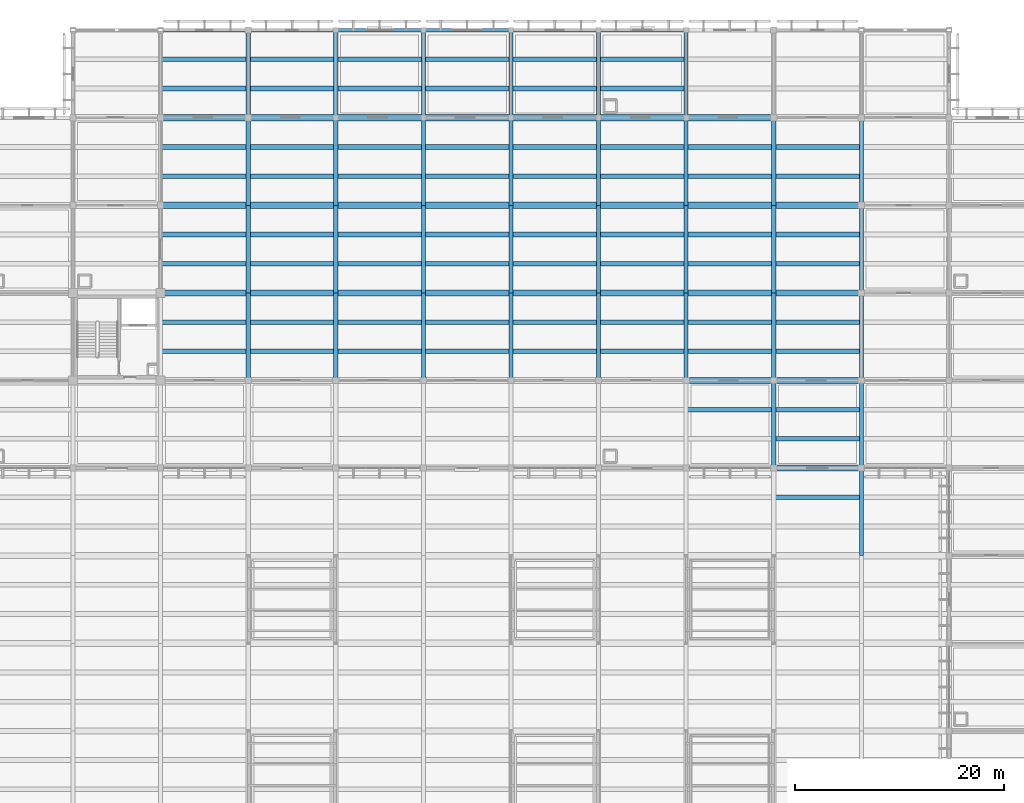
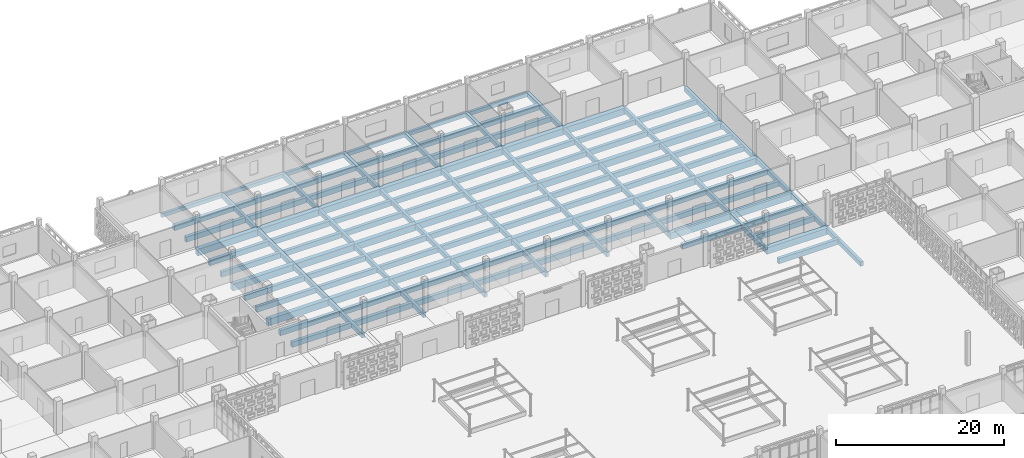
# One storey, part 35 of 129: 129 beams.
"""IFC4 building model written with IfcOpenShell, lengths in metres."""

from ifc_helpers import new_model, si_unit, direction, frame, origin, origin_2d, place, context, subcontext, project, spatial, rectangle, extrude, material, material_profile, profile_set, type_object, element, save


model = new_model("IFC4")

# Units and contexts
model_context = context("Model", 3, precision=1e-05, world=origin(), true_north=direction((0.0, 1.0)))
body_context = subcontext(model_context, "Body", "Model", "MODEL_VIEW")
ifc_project = project(units=[si_unit("LENGTHUNIT", "METRE"), si_unit("AREAUNIT", "SQUARE_METRE"), si_unit("VOLUMEUNIT", "CUBIC_METRE"), si_unit("PLANEANGLEUNIT", "RADIAN"), si_unit("MASSUNIT", "GRAM", prefix="KILO")], contexts=[model_context])

# Site, building, storey
site_placement = place(None, origin())
site = spatial("IfcSite", under=ifc_project, at=site_placement, CompositionType="ELEMENT")
building_placement = place(site_placement, origin())
building = spatial("IfcBuilding", under=site, at=building_placement, Name="Varnapada Polytechnic", CompositionType="ELEMENT")
storey_placement = place(building_placement, origin())
storey = spatial("IfcBuildingStorey", under=building, at=storey_placement, Name="L00", CompositionType="ELEMENT", Elevation=0.0)

# Beams
ifc_material = material(Name="Concrete C40/50", Category="concrete")
ifc_material_profile_1 = material_profile(ifc_material, rectangle(XDim=0.449951171875, YDim=0.75, at=origin_2d()), Name="RC 450x750")
ifc_profile_set_1 = profile_set([ifc_material_profile_1], Name="Concrete C40/50")
beam_type_1 = type_object("IfcBeamType", Name="Basement/podium secondary beam BB-01 (RC 450x750)", PredefinedType="BEAM", material=ifc_profile_set_1)
for number, where, z_axis, x_axis, name in (
    (1, (58.8798828125, 95.199951171875, -0.695068359375), (1.0, 0.0, 0.0), (0.0, 1.0, 0.0), "L00 floor joist 8/12.1"),
    (2, (58.8798828125, 98.0, -0.695068359375), (1.0, 0.0, 0.0), (0.0, 1.0, 0.0), "L00 floor joist 8/12.2"),
    (3, (58.8798828125, 103.60009765625, -0.695068359375), (1.0, 0.0, 0.0), (0.0, 1.0, 0.0), "L00 floor joist 8/13.1"),
    (4, (58.8798828125, 106.39990234375, -0.695068359375), (1.0, 0.0, 0.0), (0.0, 1.0, 0.0), "L00 floor joist 8/13.2"),
    (5, (58.8798828125, 112.0, -0.695068359375), (1.0, 0.0, 0.0), (0.0, 1.0, 0.0), "L00 floor joist 8/14.1"),
    (6, (58.8798828125, 114.800048828125, -0.695068359375), (1.0, 0.0, 0.0), (0.0, 1.0, 0.0), "L00 floor joist 8/14.2"),
    (7, (58.8798828125, 120.39990234375, -0.695068359375), (1.0, 0.0, 0.0), (0.0, 1.0, 0.0), "L00 floor joist 8/15.1"),
    (8, (58.8798828125, 123.199951171875, -0.695068359375), (1.0, 0.0, 0.0), (0.0, 1.0, 0.0), "L00 floor joist 8/15.2"),
):
    element("IfcBeam", number, at=place(storey_placement, frame(where, z_axis=z_axis, x_axis=x_axis)), inside=storey, type_object=beam_type_1, Name=name, PredefinedType="BEAM", context=body_context, shape_type="SweptSolid", body=[
        extrude(rectangle(XDim=0.449951171875, YDim=0.75, at=origin_2d()), origin(), (0.0, 0.0, 1.0), 8.240234375),
    ])
for number, where, z_axis, x_axis, name in (
    (9, (67.280029296875, 95.199951171875, -0.695068359375), (1.0, 0.0, 0.0), (0.0, 1.0, 0.0), "L00 floor joist 9/12.1"),
    (10, (67.280029296875, 98.0, -0.695068359375), (1.0, 0.0, 0.0), (0.0, 1.0, 0.0), "L00 floor joist 9/12.2"),
    (11, (67.280029296875, 103.60009765625, -0.695068359375), (1.0, 0.0, 0.0), (0.0, 1.0, 0.0), "L00 floor joist 9/13.1"),
    (12, (67.280029296875, 106.39990234375, -0.695068359375), (1.0, 0.0, 0.0), (0.0, 1.0, 0.0), "L00 floor joist 9/13.2"),
    (13, (67.280029296875, 112.0, -0.695068359375), (1.0, 0.0, 0.0), (0.0, 1.0, 0.0), "L00 floor joist 9/14.1"),
    (14, (67.280029296875, 114.800048828125, -0.695068359375), (1.0, 0.0, 0.0), (0.0, 1.0, 0.0), "L00 floor joist 9/14.2"),
    (15, (67.280029296875, 120.39990234375, -0.695068359375), (1.0, 0.0, 0.0), (0.0, 1.0, 0.0), "L00 floor joist 9/15.1"),
    (16, (67.280029296875, 123.199951171875, -0.695068359375), (1.0, 0.0, 0.0), (0.0, 1.0, 0.0), "L00 floor joist 9/15.2"),
    (17, (75.679931640625, 95.199951171875, -0.695068359375), (1.0, 0.0, 0.0), (0.0, 1.0, 0.0), "L00 floor joist 10/12.1"),
    (18, (75.679931640625, 98.0, -0.695068359375), (1.0, 0.0, 0.0), (0.0, 1.0, 0.0), "L00 floor joist 10/12.2"),
    (19, (75.679931640625, 103.60009765625, -0.695068359375), (1.0, 0.0, 0.0), (0.0, 1.0, 0.0), "L00 floor joist 10/13.1"),
    (20, (75.679931640625, 106.39990234375, -0.695068359375), (1.0, 0.0, 0.0), (0.0, 1.0, 0.0), "L00 floor joist 10/13.2"),
    (21, (75.679931640625, 112.0, -0.695068359375), (1.0, 0.0, 0.0), (0.0, 1.0, 0.0), "L00 floor joist 10/14.1"),
    (22, (75.679931640625, 114.800048828125, -0.695068359375), (1.0, 0.0, 0.0), (0.0, 1.0, 0.0), "L00 floor joist 10/14.2"),
    (23, (75.679931640625, 120.39990234375, -0.695068359375), (1.0, 0.0, 0.0), (0.0, 1.0, 0.0), "L00 floor joist 10/15.1"),
    (24, (75.679931640625, 123.199951171875, -0.695068359375), (1.0, 0.0, 0.0), (0.0, 1.0, 0.0), "L00 floor joist 10/15.2"),
    (25, (84.080078125, 95.199951171875, -0.695068359375), (1.0, 0.0, 0.0), (0.0, 1.0, 0.0), "L00 floor joist 11/12.1"),
    (26, (84.080078125, 98.0, -0.695068359375), (1.0, 0.0, 0.0), (0.0, 1.0, 0.0), "L00 floor joist 11/12.2"),
    (27, (84.080078125, 103.60009765625, -0.695068359375), (1.0, 0.0, 0.0), (0.0, 1.0, 0.0), "L00 floor joist 11/13.1"),
    (28, (84.080078125, 106.39990234375, -0.695068359375), (1.0, 0.0, 0.0), (0.0, 1.0, 0.0), "L00 floor joist 11/13.2"),
    (29, (84.080078125, 112.0, -0.695068359375), (1.0, 0.0, 0.0), (0.0, 1.0, 0.0), "L00 floor joist 11/14.1"),
    (30, (84.080078125, 114.800048828125, -0.695068359375), (1.0, 0.0, 0.0), (0.0, 1.0, 0.0), "L00 floor joist 11/14.2"),
    (31, (84.080078125, 120.39990234375, -0.695068359375), (1.0, 0.0, 0.0), (0.0, 1.0, 0.0), "L00 floor joist 11/15.1"),
    (32, (84.080078125, 123.199951171875, -0.695068359375), (1.0, 0.0, 0.0), (0.0, 1.0, 0.0), "L00 floor joist 11/15.2"),
    (33, (92.47998046875, 95.199951171875, -0.695068359375), (1.0, 0.0, 0.0), (0.0, 1.0, 0.0), "L00 floor joist 12/12.1"),
    (34, (92.47998046875, 98.0, -0.695068359375), (1.0, 0.0, 0.0), (0.0, 1.0, 0.0), "L00 floor joist 12/12.2"),
    (35, (92.47998046875, 103.60009765625, -0.695068359375), (1.0, 0.0, 0.0), (0.0, 1.0, 0.0), "L00 floor joist 12/13.1"),
    (36, (92.47998046875, 106.39990234375, -0.695068359375), (1.0, 0.0, 0.0), (0.0, 1.0, 0.0), "L00 floor joist 12/13.2"),
    (37, (92.47998046875, 112.0, -0.695068359375), (1.0, 0.0, 0.0), (0.0, 1.0, 0.0), "L00 floor joist 12/14.1"),
    (38, (92.47998046875, 114.800048828125, -0.695068359375), (1.0, 0.0, 0.0), (0.0, 1.0, 0.0), "L00 floor joist 12/14.2"),
    (39, (92.47998046875, 120.39990234375, -0.695068359375), (1.0, 0.0, 0.0), (0.0, 1.0, 0.0), "L00 floor joist 12/15.1"),
    (40, (92.47998046875, 123.199951171875, -0.695068359375), (1.0, 0.0, 0.0), (0.0, 1.0, 0.0), "L00 floor joist 12/15.2"),
):
    element("IfcBeam", number, at=place(storey_placement, frame(where, z_axis=z_axis, x_axis=x_axis)), inside=storey, type_object=beam_type_1, Name=name, PredefinedType="BEAM", context=body_context, shape_type="SweptSolid", body=[
        extrude(rectangle(XDim=0.449951171875, YDim=0.75, at=origin_2d()), origin(), (0.0, 0.0, 1.0), 8.239990234375),
    ])
for number, where, z_axis, x_axis, name in (
    (41, (100.8798828125, 95.199951171875, -0.695068359375), (1.0, 0.0, 0.0), (0.0, 1.0, 0.0), "L00 floor joist 13/12.1"),
    (42, (100.8798828125, 98.0, -0.695068359375), (1.0, 0.0, 0.0), (0.0, 1.0, 0.0), "L00 floor joist 13/12.2"),
    (43, (100.8798828125, 103.60009765625, -0.695068359375), (1.0, 0.0, 0.0), (0.0, 1.0, 0.0), "L00 floor joist 13/13.1"),
    (44, (100.8798828125, 106.39990234375, -0.695068359375), (1.0, 0.0, 0.0), (0.0, 1.0, 0.0), "L00 floor joist 13/13.2"),
    (45, (100.8798828125, 112.0, -0.695068359375), (1.0, 0.0, 0.0), (0.0, 1.0, 0.0), "L00 floor joist 13/14.1"),
    (46, (100.8798828125, 114.800048828125, -0.695068359375), (1.0, 0.0, 0.0), (0.0, 1.0, 0.0), "L00 floor joist 13/14.2"),
    (47, (100.8798828125, 120.39990234375, -0.695068359375), (1.0, 0.0, 0.0), (0.0, 1.0, 0.0), "L00 floor joist 13/15.1"),
    (48, (100.8798828125, 123.199951171875, -0.695068359375), (1.0, 0.0, 0.0), (0.0, 1.0, 0.0), "L00 floor joist 13/15.2"),
):
    element("IfcBeam", number, at=place(storey_placement, frame(where, z_axis=z_axis, x_axis=x_axis)), inside=storey, type_object=beam_type_1, Name=name, PredefinedType="BEAM", context=body_context, shape_type="SweptSolid", body=[
        extrude(rectangle(XDim=0.449951171875, YDim=0.75, at=origin_2d()), origin(), (0.0, 0.0, 1.0), 8.240234375),
    ])
for number, where, z_axis, x_axis, name in (
    (49, (109.280029296875, 89.60009765625, -0.695068359375), (1.0, 0.0, 0.0), (0.0, 1.0, 0.0), "L00 floor joist 14/11.2"),
    (50, (109.280029296875, 95.199951171875, -0.695068359375), (1.0, 0.0, 0.0), (0.0, 1.0, 0.0), "L00 floor joist 14/12.1"),
    (51, (109.280029296875, 98.0, -0.695068359375), (1.0, 0.0, 0.0), (0.0, 1.0, 0.0), "L00 floor joist 14/12.2"),
    (52, (109.280029296875, 103.60009765625, -0.695068359375), (1.0, 0.0, 0.0), (0.0, 1.0, 0.0), "L00 floor joist 14/13.1"),
    (53, (109.280029296875, 106.39990234375, -0.695068359375), (1.0, 0.0, 0.0), (0.0, 1.0, 0.0), "L00 floor joist 14/13.2"),
    (54, (109.280029296875, 112.0, -0.695068359375), (1.0, 0.0, 0.0), (0.0, 1.0, 0.0), "L00 floor joist 14/14.1"),
    (55, (109.280029296875, 114.800048828125, -0.695068359375), (1.0, 0.0, 0.0), (0.0, 1.0, 0.0), "L00 floor joist 14/14.2"),
    (56, (117.679931640625, 81.199951171875, -0.655029296875), (1.0, 0.0, 0.0), (0.0, 1.0, 0.0), "L00 floor joist 15/10.2"),
    (57, (117.679931640625, 86.800048828125, -0.695068359375), (1.0, 0.0, 0.0), (0.0, 1.0, 0.0), "L00 floor joist 15/11.1"),
    (58, (117.679931640625, 89.60009765625, -0.695068359375), (1.0, 0.0, 0.0), (0.0, 1.0, 0.0), "L00 floor joist 15/11.2"),
    (59, (117.679931640625, 95.199951171875, -0.695068359375), (1.0, 0.0, 0.0), (0.0, 1.0, 0.0), "L00 floor joist 15/12.1"),
    (60, (117.679931640625, 98.0, -0.695068359375), (1.0, 0.0, 0.0), (0.0, 1.0, 0.0), "L00 floor joist 15/12.2"),
    (61, (117.679931640625, 103.60009765625, -0.695068359375), (1.0, 0.0, 0.0), (0.0, 1.0, 0.0), "L00 floor joist 15/13.1"),
    (62, (117.679931640625, 106.39990234375, -0.695068359375), (1.0, 0.0, 0.0), (0.0, 1.0, 0.0), "L00 floor joist 15/13.2"),
    (63, (117.679931640625, 112.0, -0.695068359375), (1.0, 0.0, 0.0), (0.0, 1.0, 0.0), "L00 floor joist 15/14.1"),
    (64, (117.679931640625, 114.800048828125, -0.695068359375), (1.0, 0.0, 0.0), (0.0, 1.0, 0.0), "L00 floor joist 15/14.2"),
):
    element("IfcBeam", number, at=place(storey_placement, frame(where, z_axis=z_axis, x_axis=x_axis)), inside=storey, type_object=beam_type_1, Name=name, PredefinedType="BEAM", context=body_context, shape_type="SweptSolid", body=[
        extrude(rectangle(XDim=0.449951171875, YDim=0.75, at=origin_2d()), origin(), (0.0, 0.0, 1.0), 8.239990234375),
    ])
ifc_material_profile_2 = material_profile(ifc_material, rectangle(XDim=0.35009765625, YDim=0.550048828125, at=origin_2d()), Name="RC 350x550")
ifc_profile_set_2 = profile_set([ifc_material_profile_2], Name="Concrete C40/50")
beam_type_2 = type_object("IfcBeamType", Name="Concrete podium spandrel beam SP-01 (RC 350x550)", PredefinedType="SPANDREL", material=ifc_profile_set_2)
beam_1_placement = place(storey_placement, frame((58.800048828125, 126.0, -0.594970703125), z_axis=(1.0, 0.0, 0.0), x_axis=(0.0, 1.0, 0.0)))
element("IfcBeam", 65, at=beam_1_placement, inside=storey, type_object=beam_type_2, Name="L00 beam X 8-9 at Y16", PredefinedType="SPANDREL", context=body_context, shape_type="SweptSolid", body=[
    extrude(rectangle(XDim=0.35009765625, YDim=0.550048828125, at=origin_2d()), origin(), (0.0, 0.0, 1.0), 8.39990234375),
])
beam_2_placement = place(storey_placement, frame((67.199951171875, 126.0, -0.594970703125), z_axis=(1.0, 0.0, 0.0), x_axis=(0.0, 1.0, 0.0)))
element("IfcBeam", 66, at=beam_2_placement, inside=storey, type_object=beam_type_2, Name="L00 beam X 9-10 at Y16", PredefinedType="SPANDREL", context=body_context, shape_type="SweptSolid", body=[
    extrude(rectangle(XDim=0.35009765625, YDim=0.550048828125, at=origin_2d()), origin(), (0.0, 0.0, 1.0), 8.400146484375),
])
for number, where, z_axis, x_axis, name in (
    (67, (75.60009765625, 126.0, -0.594970703125), (1.0, 0.0, 0.0), (0.0, 1.0, 0.0), "L00 beam X 10-11 at Y16"),
    (68, (84.0, 126.0, -0.594970703125), (1.0, 0.0, 0.0), (0.0, 1.0, 0.0), "L00 beam X 11-12 at Y16"),
):
    element("IfcBeam", number, at=place(storey_placement, frame(where, z_axis=z_axis, x_axis=x_axis)), inside=storey, type_object=beam_type_2, Name=name, PredefinedType="SPANDREL", context=body_context, shape_type="SweptSolid", body=[
        extrude(rectangle(XDim=0.35009765625, YDim=0.550048828125, at=origin_2d()), origin(), (0.0, 0.0, 1.0), 8.39990234375),
    ])
beam_3_placement = place(storey_placement, frame((92.39990234375, 126.0, -0.594970703125), z_axis=(1.0, 0.0, 0.0), x_axis=(0.0, 1.0, 0.0)))
element("IfcBeam", 69, at=beam_3_placement, inside=storey, type_object=beam_type_2, Name="L00 beam X 12-13 at Y16", PredefinedType="SPANDREL", context=body_context, shape_type="SweptSolid", body=[
    extrude(rectangle(XDim=0.35009765625, YDim=0.550048828125, at=origin_2d()), origin(), (0.0, 0.0, 1.0), 8.400146484375),
])
beam_4_placement = place(storey_placement, frame((100.800048828125, 126.0, -0.594970703125), z_axis=(1.0, 0.0, 0.0), x_axis=(0.0, 1.0, 0.0)))
element("IfcBeam", 70, at=beam_4_placement, inside=storey, type_object=beam_type_2, Name="L00 beam X 13-14 at Y16", PredefinedType="SPANDREL", context=body_context, shape_type="SweptSolid", body=[
    extrude(rectangle(XDim=0.35009765625, YDim=0.550048828125, at=origin_2d()), origin(), (0.0, 0.0, 1.0), 8.39990234375),
])
ifc_material_profile_3 = material_profile(ifc_material, rectangle(XDim=0.39990234375, YDim=0.64990234375, at=origin_2d()), Name="RC 400x650")
ifc_profile_set_3 = profile_set([ifc_material_profile_3], Name="Concrete C40/50")
beam_type_3 = type_object("IfcBeamType", Name="Podium framing beam BB-02 (RC 400x650)", PredefinedType="BEAM", material=ifc_profile_set_3)
beam_5_placement = place(storey_placement, frame((67.199951171875, 92.39990234375, -0.64501953125), z_axis=(0.0, 1.0, 0.0), x_axis=(-1.0, 0.0, 0.0)))
element("IfcBeam", 71, at=beam_5_placement, inside=storey, type_object=beam_type_3, Name="L00 beam Y 12-13 at X9", PredefinedType="BEAM", context=body_context, shape_type="SweptSolid", body=[
    extrude(rectangle(XDim=0.39990234375, YDim=0.64990234375, at=origin_2d()), origin(), (0.0, 0.0, 1.0), 8.400146484375),
])
beam_6_placement = place(storey_placement, frame((67.199951171875, 100.800048828125, -0.64501953125), z_axis=(0.0, 1.0, 0.0), x_axis=(-1.0, 0.0, 0.0)))
element("IfcBeam", 72, at=beam_6_placement, inside=storey, type_object=beam_type_3, Name="L00 beam Y 13-14 at X9", PredefinedType="BEAM", context=body_context, shape_type="SweptSolid", body=[
    extrude(rectangle(XDim=0.39990234375, YDim=0.64990234375, at=origin_2d()), origin(), (0.0, 0.0, 1.0), 8.39990234375),
])
beam_7_placement = place(storey_placement, frame((67.199951171875, 109.199951171875, -0.64501953125), z_axis=(0.0, 1.0, 0.0), x_axis=(-1.0, 0.0, 0.0)))
element("IfcBeam", 73, at=beam_7_placement, inside=storey, type_object=beam_type_3, Name="L00 beam Y 14-15 at X9", PredefinedType="BEAM", context=body_context, shape_type="SweptSolid", body=[
    extrude(rectangle(XDim=0.39990234375, YDim=0.64990234375, at=origin_2d()), origin(), (0.0, 0.0, 1.0), 8.400146484375),
])
beam_8_placement = place(storey_placement, frame((67.199951171875, 117.60009765625, -0.64501953125), z_axis=(0.0, 1.0, 0.0), x_axis=(-1.0, 0.0, 0.0)))
element("IfcBeam", 74, at=beam_8_placement, inside=storey, type_object=beam_type_3, Name="L00 beam Y 15-16 at X9", PredefinedType="BEAM", context=body_context, shape_type="SweptSolid", body=[
    extrude(rectangle(XDim=0.39990234375, YDim=0.64990234375, at=origin_2d()), origin(), (0.0, 0.0, 1.0), 8.39990234375),
])
beam_9_placement = place(storey_placement, frame((75.60009765625, 92.39990234375, -0.64501953125), z_axis=(0.0, 1.0, 0.0), x_axis=(-1.0, 0.0, 0.0)))
element("IfcBeam", 75, at=beam_9_placement, inside=storey, type_object=beam_type_3, Name="L00 beam Y 12-13 at X10", PredefinedType="BEAM", context=body_context, shape_type="SweptSolid", body=[
    extrude(rectangle(XDim=0.39990234375, YDim=0.64990234375, at=origin_2d()), origin(), (0.0, 0.0, 1.0), 8.400146484375),
])
beam_10_placement = place(storey_placement, frame((75.60009765625, 100.800048828125, -0.64501953125), z_axis=(0.0, 1.0, 0.0), x_axis=(-1.0, 0.0, 0.0)))
element("IfcBeam", 76, at=beam_10_placement, inside=storey, type_object=beam_type_3, Name="L00 beam Y 13-14 at X10", PredefinedType="BEAM", context=body_context, shape_type="SweptSolid", body=[
    extrude(rectangle(XDim=0.39990234375, YDim=0.64990234375, at=origin_2d()), origin(), (0.0, 0.0, 1.0), 8.39990234375),
])
beam_11_placement = place(storey_placement, frame((75.60009765625, 109.199951171875, -0.64501953125), z_axis=(0.0, 1.0, 0.0), x_axis=(-1.0, 0.0, 0.0)))
element("IfcBeam", 77, at=beam_11_placement, inside=storey, type_object=beam_type_3, Name="L00 beam Y 14-15 at X10", PredefinedType="BEAM", context=body_context, shape_type="SweptSolid", body=[
    extrude(rectangle(XDim=0.39990234375, YDim=0.64990234375, at=origin_2d()), origin(), (0.0, 0.0, 1.0), 8.400146484375),
])
beam_12_placement = place(storey_placement, frame((75.60009765625, 117.60009765625, -0.64501953125), z_axis=(0.0, 1.0, 0.0), x_axis=(-1.0, 0.0, 0.0)))
element("IfcBeam", 78, at=beam_12_placement, inside=storey, type_object=beam_type_3, Name="L00 beam Y 15-16 at X10", PredefinedType="BEAM", context=body_context, shape_type="SweptSolid", body=[
    extrude(rectangle(XDim=0.39990234375, YDim=0.64990234375, at=origin_2d()), origin(), (0.0, 0.0, 1.0), 8.39990234375),
])
beam_13_placement = place(storey_placement, frame((84.0, 92.39990234375, -0.64501953125), z_axis=(0.0, 1.0, 0.0), x_axis=(-1.0, 0.0, 0.0)))
element("IfcBeam", 79, at=beam_13_placement, inside=storey, type_object=beam_type_3, Name="L00 beam Y 12-13 at X11", PredefinedType="BEAM", context=body_context, shape_type="SweptSolid", body=[
    extrude(rectangle(XDim=0.39990234375, YDim=0.64990234375, at=origin_2d()), origin(), (0.0, 0.0, 1.0), 8.400146484375),
])
beam_14_placement = place(storey_placement, frame((84.0, 100.800048828125, -0.64501953125), z_axis=(0.0, 1.0, 0.0), x_axis=(-1.0, 0.0, 0.0)))
element("IfcBeam", 80, at=beam_14_placement, inside=storey, type_object=beam_type_3, Name="L00 beam Y 13-14 at X11", PredefinedType="BEAM", context=body_context, shape_type="SweptSolid", body=[
    extrude(rectangle(XDim=0.39990234375, YDim=0.64990234375, at=origin_2d()), origin(), (0.0, 0.0, 1.0), 8.39990234375),
])
beam_15_placement = place(storey_placement, frame((84.0, 109.199951171875, -0.64501953125), z_axis=(0.0, 1.0, 0.0), x_axis=(-1.0, 0.0, 0.0)))
element("IfcBeam", 81, at=beam_15_placement, inside=storey, type_object=beam_type_3, Name="L00 beam Y 14-15 at X11", PredefinedType="BEAM", context=body_context, shape_type="SweptSolid", body=[
    extrude(rectangle(XDim=0.39990234375, YDim=0.64990234375, at=origin_2d()), origin(), (0.0, 0.0, 1.0), 8.400146484375),
])
beam_16_placement = place(storey_placement, frame((84.0, 117.60009765625, -0.64501953125), z_axis=(0.0, 1.0, 0.0), x_axis=(-1.0, 0.0, 0.0)))
element("IfcBeam", 82, at=beam_16_placement, inside=storey, type_object=beam_type_3, Name="L00 beam Y 15-16 at X11", PredefinedType="BEAM", context=body_context, shape_type="SweptSolid", body=[
    extrude(rectangle(XDim=0.39990234375, YDim=0.64990234375, at=origin_2d()), origin(), (0.0, 0.0, 1.0), 8.39990234375),
])
beam_17_placement = place(storey_placement, frame((92.39990234375, 92.39990234375, -0.64501953125), z_axis=(0.0, 1.0, 0.0), x_axis=(-1.0, 0.0, 0.0)))
element("IfcBeam", 83, at=beam_17_placement, inside=storey, type_object=beam_type_3, Name="L00 beam Y 12-13 at X12", PredefinedType="BEAM", context=body_context, shape_type="SweptSolid", body=[
    extrude(rectangle(XDim=0.39990234375, YDim=0.64990234375, at=origin_2d()), origin(), (0.0, 0.0, 1.0), 8.400146484375),
])
beam_18_placement = place(storey_placement, frame((92.39990234375, 100.800048828125, -0.64501953125), z_axis=(0.0, 1.0, 0.0), x_axis=(-1.0, 0.0, 0.0)))
element("IfcBeam", 84, at=beam_18_placement, inside=storey, type_object=beam_type_3, Name="L00 beam Y 13-14 at X12", PredefinedType="BEAM", context=body_context, shape_type="SweptSolid", body=[
    extrude(rectangle(XDim=0.39990234375, YDim=0.64990234375, at=origin_2d()), origin(), (0.0, 0.0, 1.0), 8.39990234375),
])
beam_19_placement = place(storey_placement, frame((92.39990234375, 109.199951171875, -0.64501953125), z_axis=(0.0, 1.0, 0.0), x_axis=(-1.0, 0.0, 0.0)))
element("IfcBeam", 85, at=beam_19_placement, inside=storey, type_object=beam_type_3, Name="L00 beam Y 14-15 at X12", PredefinedType="BEAM", context=body_context, shape_type="SweptSolid", body=[
    extrude(rectangle(XDim=0.39990234375, YDim=0.64990234375, at=origin_2d()), origin(), (0.0, 0.0, 1.0), 8.400146484375),
])
beam_20_placement = place(storey_placement, frame((92.39990234375, 117.60009765625, -0.64501953125), z_axis=(0.0, 1.0, 0.0), x_axis=(-1.0, 0.0, 0.0)))
element("IfcBeam", 86, at=beam_20_placement, inside=storey, type_object=beam_type_3, Name="L00 beam Y 15-16 at X12", PredefinedType="BEAM", context=body_context, shape_type="SweptSolid", body=[
    extrude(rectangle(XDim=0.39990234375, YDim=0.64990234375, at=origin_2d()), origin(), (0.0, 0.0, 1.0), 8.39990234375),
])
beam_21_placement = place(storey_placement, frame((100.800048828125, 92.39990234375, -0.64501953125), z_axis=(0.0, 1.0, 0.0), x_axis=(-1.0, 0.0, 0.0)))
element("IfcBeam", 87, at=beam_21_placement, inside=storey, type_object=beam_type_3, Name="L00 beam Y 12-13 at X13", PredefinedType="BEAM", context=body_context, shape_type="SweptSolid", body=[
    extrude(rectangle(XDim=0.39990234375, YDim=0.64990234375, at=origin_2d()), origin(), (0.0, 0.0, 1.0), 8.400146484375),
])
beam_22_placement = place(storey_placement, frame((100.800048828125, 100.800048828125, -0.64501953125), z_axis=(0.0, 1.0, 0.0), x_axis=(-1.0, 0.0, 0.0)))
element("IfcBeam", 88, at=beam_22_placement, inside=storey, type_object=beam_type_3, Name="L00 beam Y 13-14 at X13", PredefinedType="BEAM", context=body_context, shape_type="SweptSolid", body=[
    extrude(rectangle(XDim=0.39990234375, YDim=0.64990234375, at=origin_2d()), origin(), (0.0, 0.0, 1.0), 8.39990234375),
])
beam_23_placement = place(storey_placement, frame((100.800048828125, 109.199951171875, -0.64501953125), z_axis=(0.0, 1.0, 0.0), x_axis=(-1.0, 0.0, 0.0)))
element("IfcBeam", 89, at=beam_23_placement, inside=storey, type_object=beam_type_3, Name="L00 beam Y 14-15 at X13", PredefinedType="BEAM", context=body_context, shape_type="SweptSolid", body=[
    extrude(rectangle(XDim=0.39990234375, YDim=0.64990234375, at=origin_2d()), origin(), (0.0, 0.0, 1.0), 8.400146484375),
])
beam_24_placement = place(storey_placement, frame((100.800048828125, 117.60009765625, -0.64501953125), z_axis=(0.0, 1.0, 0.0), x_axis=(-1.0, 0.0, 0.0)))
element("IfcBeam", 90, at=beam_24_placement, inside=storey, type_object=beam_type_3, Name="L00 beam Y 15-16 at X13", PredefinedType="BEAM", context=body_context, shape_type="SweptSolid", body=[
    extrude(rectangle(XDim=0.39990234375, YDim=0.64990234375, at=origin_2d()), origin(), (0.0, 0.0, 1.0), 8.39990234375),
])
beam_25_placement = place(storey_placement, frame((109.199951171875, 92.39990234375, -0.64501953125), z_axis=(0.0, 1.0, 0.0), x_axis=(-1.0, 0.0, 0.0)))
element("IfcBeam", 91, at=beam_25_placement, inside=storey, type_object=beam_type_3, Name="L00 beam Y 12-13 at X14", PredefinedType="BEAM", context=body_context, shape_type="SweptSolid", body=[
    extrude(rectangle(XDim=0.39990234375, YDim=0.64990234375, at=origin_2d()), origin(), (0.0, 0.0, 1.0), 8.400146484375),
])
beam_26_placement = place(storey_placement, frame((109.199951171875, 100.800048828125, -0.64501953125), z_axis=(0.0, 1.0, 0.0), x_axis=(-1.0, 0.0, 0.0)))
element("IfcBeam", 92, at=beam_26_placement, inside=storey, type_object=beam_type_3, Name="L00 beam Y 13-14 at X14", PredefinedType="BEAM", context=body_context, shape_type="SweptSolid", body=[
    extrude(rectangle(XDim=0.39990234375, YDim=0.64990234375, at=origin_2d()), origin(), (0.0, 0.0, 1.0), 8.39990234375),
])
beam_27_placement = place(storey_placement, frame((109.199951171875, 109.199951171875, -0.64501953125), z_axis=(0.0, 1.0, 0.0), x_axis=(-1.0, 0.0, 0.0)))
element("IfcBeam", 93, at=beam_27_placement, inside=storey, type_object=beam_type_3, Name="L00 beam Y 14-15 at X14", PredefinedType="BEAM", context=body_context, shape_type="SweptSolid", body=[
    extrude(rectangle(XDim=0.39990234375, YDim=0.64990234375, at=origin_2d()), origin(), (0.0, 0.0, 1.0), 8.400146484375),
])
for number, where, z_axis, x_axis, name in (
    (94, (109.199951171875, 117.60009765625, -0.64501953125), (0.0, 1.0, 0.0), (-1.0, 0.0, 0.0), "L00 beam Y 15-16 at X14"),
    (95, (117.60009765625, 84.0, -0.64501953125), (0.0, 1.0, 0.0), (-1.0, 0.0, 0.0), "L00 beam Y 11-12 at X15"),
):
    element("IfcBeam", number, at=place(storey_placement, frame(where, z_axis=z_axis, x_axis=x_axis)), inside=storey, type_object=beam_type_3, Name=name, PredefinedType="BEAM", context=body_context, shape_type="SweptSolid", body=[
        extrude(rectangle(XDim=0.39990234375, YDim=0.64990234375, at=origin_2d()), origin(), (0.0, 0.0, 1.0), 8.39990234375),
    ])
beam_28_placement = place(storey_placement, frame((117.60009765625, 92.39990234375, -0.64501953125), z_axis=(0.0, 1.0, 0.0), x_axis=(-1.0, 0.0, 0.0)))
element("IfcBeam", 96, at=beam_28_placement, inside=storey, type_object=beam_type_3, Name="L00 beam Y 12-13 at X15", PredefinedType="BEAM", context=body_context, shape_type="SweptSolid", body=[
    extrude(rectangle(XDim=0.39990234375, YDim=0.64990234375, at=origin_2d()), origin(), (0.0, 0.0, 1.0), 8.400146484375),
])
beam_29_placement = place(storey_placement, frame((117.60009765625, 100.800048828125, -0.64501953125), z_axis=(0.0, 1.0, 0.0), x_axis=(-1.0, 0.0, 0.0)))
element("IfcBeam", 97, at=beam_29_placement, inside=storey, type_object=beam_type_3, Name="L00 beam Y 13-14 at X15", PredefinedType="BEAM", context=body_context, shape_type="SweptSolid", body=[
    extrude(rectangle(XDim=0.39990234375, YDim=0.64990234375, at=origin_2d()), origin(), (0.0, 0.0, 1.0), 8.39990234375),
])
beam_30_placement = place(storey_placement, frame((117.60009765625, 109.199951171875, -0.64501953125), z_axis=(0.0, 1.0, 0.0), x_axis=(-1.0, 0.0, 0.0)))
element("IfcBeam", 98, at=beam_30_placement, inside=storey, type_object=beam_type_3, Name="L00 beam Y 14-15 at X15", PredefinedType="BEAM", context=body_context, shape_type="SweptSolid", body=[
    extrude(rectangle(XDim=0.39990234375, YDim=0.64990234375, at=origin_2d()), origin(), (0.0, 0.0, 1.0), 8.400146484375),
])
for number, where, z_axis, x_axis, name in (
    (99, (126.0, 75.60009765625, -0.64501953125), (0.0, 1.0, 0.0), (-1.0, 0.0, 0.0), "L00 beam Y 10-11 at X16"),
    (100, (126.0, 84.0, -0.64501953125), (0.0, 1.0, 0.0), (-1.0, 0.0, 0.0), "L00 beam Y 11-12 at X16"),
):
    element("IfcBeam", number, at=place(storey_placement, frame(where, z_axis=z_axis, x_axis=x_axis)), inside=storey, type_object=beam_type_3, Name=name, PredefinedType="BEAM", context=body_context, shape_type="SweptSolid", body=[
        extrude(rectangle(XDim=0.39990234375, YDim=0.64990234375, at=origin_2d()), origin(), (0.0, 0.0, 1.0), 8.39990234375),
    ])
beam_31_placement = place(storey_placement, frame((126.0, 92.39990234375, -0.64501953125), z_axis=(0.0, 1.0, 0.0), x_axis=(-1.0, 0.0, 0.0)))
element("IfcBeam", 101, at=beam_31_placement, inside=storey, type_object=beam_type_3, Name="L00 beam Y 12-13 at X16", PredefinedType="BEAM", context=body_context, shape_type="SweptSolid", body=[
    extrude(rectangle(XDim=0.39990234375, YDim=0.64990234375, at=origin_2d()), origin(), (0.0, 0.0, 1.0), 8.400146484375),
])
beam_32_placement = place(storey_placement, frame((126.0, 100.800048828125, -0.64501953125), z_axis=(0.0, 1.0, 0.0), x_axis=(-1.0, 0.0, 0.0)))
element("IfcBeam", 102, at=beam_32_placement, inside=storey, type_object=beam_type_3, Name="L00 beam Y 13-14 at X16", PredefinedType="BEAM", context=body_context, shape_type="SweptSolid", body=[
    extrude(rectangle(XDim=0.39990234375, YDim=0.64990234375, at=origin_2d()), origin(), (0.0, 0.0, 1.0), 8.39990234375),
])
beam_33_placement = place(storey_placement, frame((126.0, 109.199951171875, -0.64501953125), z_axis=(0.0, 1.0, 0.0), x_axis=(-1.0, 0.0, 0.0)))
element("IfcBeam", 103, at=beam_33_placement, inside=storey, type_object=beam_type_3, Name="L00 beam Y 14-15 at X16", PredefinedType="BEAM", context=body_context, shape_type="SweptSolid", body=[
    extrude(rectangle(XDim=0.39990234375, YDim=0.64990234375, at=origin_2d()), origin(), (0.0, 0.0, 1.0), 8.400146484375),
])
ifc_material_profile_4 = material_profile(ifc_material, rectangle(XDim=0.60009765625, YDim=0.949951171875, at=origin_2d()), Name="RC 600x950")
ifc_profile_set_4 = profile_set([ifc_material_profile_4], Name="Concrete C40/50")
beam_type_4 = type_object("IfcBeamType", Name="Workshop podium heavy girder BG-03 (RC 600x950)", PredefinedType="T_BEAM", material=ifc_profile_set_4)
for number, where, z_axis, x_axis, name in (
    (104, (58.800048828125, 100.800048828125, -0.794921875), (1.0, 0.0, 0.0), (0.0, 1.0, 0.0), "L00 beam X 8-9 at Y13"),
    (105, (58.800048828125, 109.199951171875, -0.794921875), (1.0, 0.0, 0.0), (0.0, 1.0, 0.0), "L00 beam X 8-9 at Y14"),
    (106, (58.800048828125, 117.60009765625, -0.794921875), (1.0, 0.0, 0.0), (0.0, 1.0, 0.0), "L00 beam X 8-9 at Y15"),
):
    element("IfcBeam", number, at=place(storey_placement, frame(where, z_axis=z_axis, x_axis=x_axis)), inside=storey, type_object=beam_type_4, Name=name, PredefinedType="T_BEAM", context=body_context, shape_type="SweptSolid", body=[
        extrude(rectangle(XDim=0.60009765625, YDim=0.949951171875, at=origin_2d()), origin(), (0.0, 0.0, 1.0), 8.39990234375),
    ])
for number, where, z_axis, x_axis, name in (
    (107, (67.199951171875, 100.800048828125, -0.794921875), (1.0, 0.0, 0.0), (0.0, 1.0, 0.0), "L00 beam X 9-10 at Y13"),
    (108, (67.199951171875, 109.199951171875, -0.794921875), (1.0, 0.0, 0.0), (0.0, 1.0, 0.0), "L00 beam X 9-10 at Y14"),
    (109, (67.199951171875, 117.60009765625, -0.794921875), (1.0, 0.0, 0.0), (0.0, 1.0, 0.0), "L00 beam X 9-10 at Y15"),
):
    element("IfcBeam", number, at=place(storey_placement, frame(where, z_axis=z_axis, x_axis=x_axis)), inside=storey, type_object=beam_type_4, Name=name, PredefinedType="T_BEAM", context=body_context, shape_type="SweptSolid", body=[
        extrude(rectangle(XDim=0.60009765625, YDim=0.949951171875, at=origin_2d()), origin(), (0.0, 0.0, 1.0), 8.400146484375),
    ])
for number, where, z_axis, x_axis, name in (
    (110, (75.60009765625, 100.800048828125, -0.794921875), (1.0, 0.0, 0.0), (0.0, 1.0, 0.0), "L00 beam X 10-11 at Y13"),
    (111, (75.60009765625, 109.199951171875, -0.794921875), (1.0, 0.0, 0.0), (0.0, 1.0, 0.0), "L00 beam X 10-11 at Y14"),
    (112, (75.60009765625, 117.60009765625, -0.794921875), (1.0, 0.0, 0.0), (0.0, 1.0, 0.0), "L00 beam X 10-11 at Y15"),
    (113, (84.0, 100.800048828125, -0.794921875), (1.0, 0.0, 0.0), (0.0, 1.0, 0.0), "L00 beam X 11-12 at Y13"),
    (114, (84.0, 109.199951171875, -0.794921875), (1.0, 0.0, 0.0), (0.0, 1.0, 0.0), "L00 beam X 11-12 at Y14"),
    (115, (84.0, 117.60009765625, -0.794921875), (1.0, 0.0, 0.0), (0.0, 1.0, 0.0), "L00 beam X 11-12 at Y15"),
):
    element("IfcBeam", number, at=place(storey_placement, frame(where, z_axis=z_axis, x_axis=x_axis)), inside=storey, type_object=beam_type_4, Name=name, PredefinedType="T_BEAM", context=body_context, shape_type="SweptSolid", body=[
        extrude(rectangle(XDim=0.60009765625, YDim=0.949951171875, at=origin_2d()), origin(), (0.0, 0.0, 1.0), 8.39990234375),
    ])
for number, where, z_axis, x_axis, name in (
    (116, (92.39990234375, 100.800048828125, -0.794921875), (1.0, 0.0, 0.0), (0.0, 1.0, 0.0), "L00 beam X 12-13 at Y13"),
    (117, (92.39990234375, 109.199951171875, -0.794921875), (1.0, 0.0, 0.0), (0.0, 1.0, 0.0), "L00 beam X 12-13 at Y14"),
    (118, (92.39990234375, 117.60009765625, -0.794921875), (1.0, 0.0, 0.0), (0.0, 1.0, 0.0), "L00 beam X 12-13 at Y15"),
):
    element("IfcBeam", number, at=place(storey_placement, frame(where, z_axis=z_axis, x_axis=x_axis)), inside=storey, type_object=beam_type_4, Name=name, PredefinedType="T_BEAM", context=body_context, shape_type="SweptSolid", body=[
        extrude(rectangle(XDim=0.60009765625, YDim=0.949951171875, at=origin_2d()), origin(), (0.0, 0.0, 1.0), 8.400146484375),
    ])
for number, where, z_axis, x_axis, name in (
    (119, (100.800048828125, 100.800048828125, -0.794921875), (1.0, 0.0, 0.0), (0.0, 1.0, 0.0), "L00 beam X 13-14 at Y13"),
    (120, (100.800048828125, 109.199951171875, -0.794921875), (1.0, 0.0, 0.0), (0.0, 1.0, 0.0), "L00 beam X 13-14 at Y14"),
    (121, (100.800048828125, 117.60009765625, -0.794921875), (1.0, 0.0, 0.0), (0.0, 1.0, 0.0), "L00 beam X 13-14 at Y15"),
):
    element("IfcBeam", number, at=place(storey_placement, frame(where, z_axis=z_axis, x_axis=x_axis)), inside=storey, type_object=beam_type_4, Name=name, PredefinedType="T_BEAM", context=body_context, shape_type="SweptSolid", body=[
        extrude(rectangle(XDim=0.60009765625, YDim=0.949951171875, at=origin_2d()), origin(), (0.0, 0.0, 1.0), 8.39990234375),
    ])
for number, where, z_axis, x_axis, name in (
    (122, (109.199951171875, 92.39990234375, -0.794921875), (1.0, 0.0, 0.0), (0.0, 1.0, 0.0), "L00 beam X 14-15 at Y12"),
    (123, (109.199951171875, 100.800048828125, -0.794921875), (1.0, 0.0, 0.0), (0.0, 1.0, 0.0), "L00 beam X 14-15 at Y13"),
    (124, (109.199951171875, 109.199951171875, -0.794921875), (1.0, 0.0, 0.0), (0.0, 1.0, 0.0), "L00 beam X 14-15 at Y14"),
    (125, (109.199951171875, 117.60009765625, -0.794921875), (1.0, 0.0, 0.0), (0.0, 1.0, 0.0), "L00 beam X 14-15 at Y15"),
):
    element("IfcBeam", number, at=place(storey_placement, frame(where, z_axis=z_axis, x_axis=x_axis)), inside=storey, type_object=beam_type_4, Name=name, PredefinedType="T_BEAM", context=body_context, shape_type="SweptSolid", body=[
        extrude(rectangle(XDim=0.60009765625, YDim=0.949951171875, at=origin_2d()), origin(), (0.0, 0.0, 1.0), 8.400146484375),
    ])
for number, where, z_axis, x_axis, name in (
    (126, (117.60009765625, 84.0, -0.794921875), (1.0, 0.0, 0.0), (0.0, 1.0, 0.0), "L00 beam X 15-16 at Y11"),
    (127, (117.60009765625, 92.39990234375, -0.794921875), (1.0, 0.0, 0.0), (0.0, 1.0, 0.0), "L00 beam X 15-16 at Y12"),
    (128, (117.60009765625, 100.800048828125, -0.794921875), (1.0, 0.0, 0.0), (0.0, 1.0, 0.0), "L00 beam X 15-16 at Y13"),
    (129, (117.60009765625, 109.199951171875, -0.794921875), (1.0, 0.0, 0.0), (0.0, 1.0, 0.0), "L00 beam X 15-16 at Y14"),
):
    element("IfcBeam", number, at=place(storey_placement, frame(where, z_axis=z_axis, x_axis=x_axis)), inside=storey, type_object=beam_type_4, Name=name, PredefinedType="T_BEAM", context=body_context, shape_type="SweptSolid", body=[
        extrude(rectangle(XDim=0.60009765625, YDim=0.949951171875, at=origin_2d()), origin(), (0.0, 0.0, 1.0), 8.39990234375),
    ])

save(model, "model.ifc")
